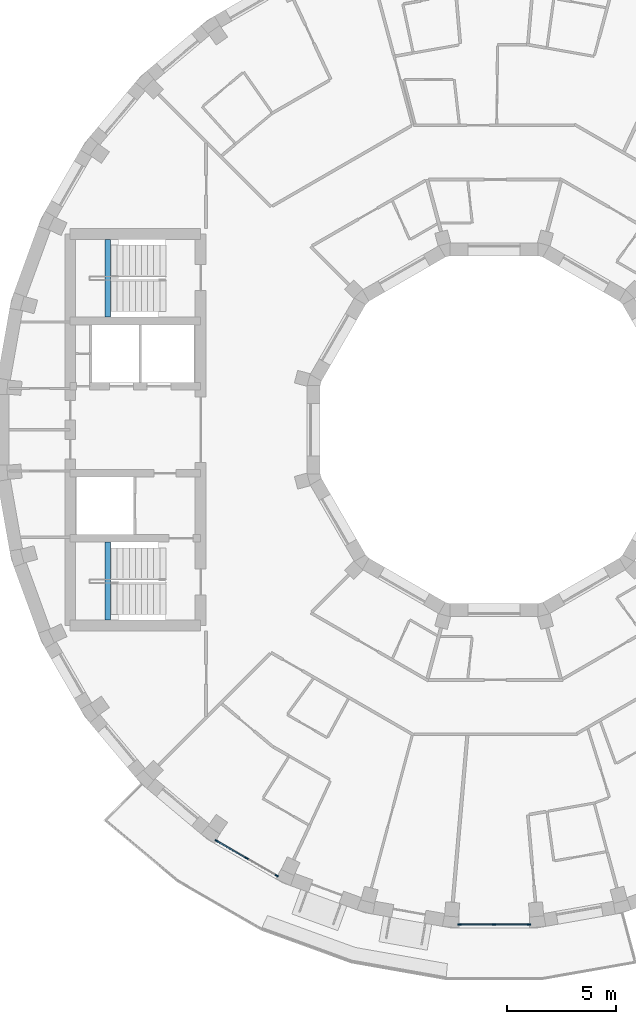
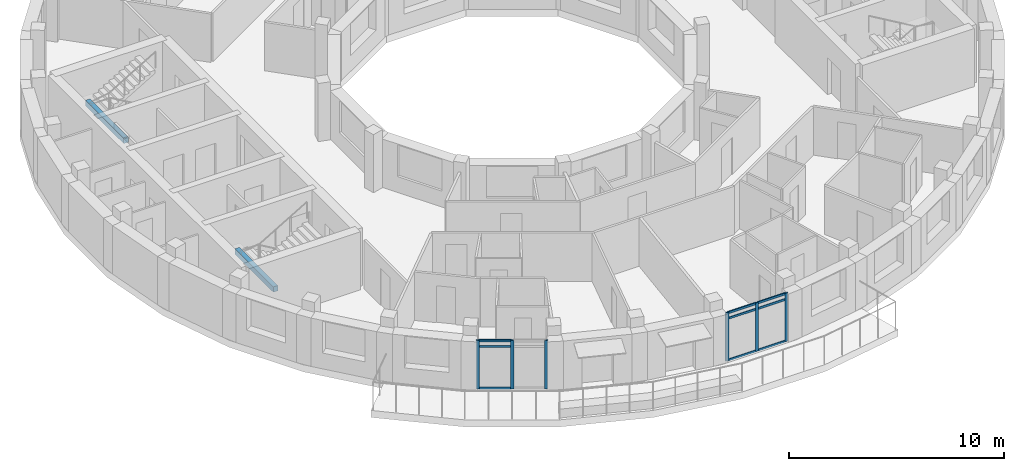
# One storey, part 2 of 12: 15 members, 2 beams, 2 elements without a shape of their own.
"""IFC4 building model written with IfcOpenShell, lengths in metres."""

from ifc_helpers import new_model, si_unit, direction, frame, origin, origin_2d, place, context, subcontext, project, spatial, rectangle, extrude, material, layer, layer_set, material_profile, profile_set, type_object, element, aggregate, save


model = new_model("IFC4")

# Units and contexts
model_context = context("Model", 3, precision=1e-05, world=origin(), true_north=direction((0.0, 1.0)))
body_context = subcontext(model_context, "Body", "Model", "MODEL_VIEW")
ifc_project = project(units=[si_unit("LENGTHUNIT", "METRE"), si_unit("AREAUNIT", "SQUARE_METRE"), si_unit("VOLUMEUNIT", "CUBIC_METRE"), si_unit("PLANEANGLEUNIT", "RADIAN"), si_unit("MASSUNIT", "GRAM", prefix="KILO")], contexts=[model_context])

# Site, building, storey
site_placement = place(None, origin())
site = spatial("IfcSite", under=ifc_project, at=site_placement, CompositionType="ELEMENT")
building_placement = place(site_placement, origin())
building = spatial("IfcBuilding", under=site, at=building_placement, Name="Saqina Gate Tower", CompositionType="ELEMENT")
storey_placement = place(building_placement, frame((0.0, 0.0, 275.89990234375)))
storey = spatial("IfcBuildingStorey", under=building, at=storey_placement, Name="L79", CompositionType="ELEMENT", Elevation=275.89990234375)

# Curtain wall, members
ifc_material_1 = material(Name="Aluminium glazing", Category="aluminium")
ifc_layer = layer(ifc_material_1, 0.159912109375)
ifc_layer_set = layer_set([ifc_layer], Name="CWT-4")
curtain_wall_type = type_object("IfcCurtainWallType", Name="CWT-4", PredefinedType="NOTDEFINED", material=ifc_layer_set)
curtain_wall_1_placement = place(storey_placement, origin())
curtain_wall_1 = element("IfcCurtainWall", 1, at=curtain_wall_1_placement, inside=storey, type_object=curtain_wall_type, Name="Terrace lounge glazing facet 24", PredefinedType="NOTDEFINED")
ifc_material_2 = material(Name="Aluminium", Category="aluminium")
ifc_material_profile_1 = material_profile(ifc_material_2, rectangle(XDim=0.06005859375, YDim=0.159912109375, at=origin_2d()), Name="Aluminium 60x160")
ifc_profile_set_1 = profile_set([ifc_material_profile_1], Name="Aluminium")
member_type_1 = type_object("IfcMemberType", Name="CWT-4M", PredefinedType="MULLION", material=ifc_profile_set_1)
member_1_placement = place(storey_placement, frame((-12.763427734375, -18.9150390625, 0.0), z_axis=(0.0, 0.0, 1.0), x_axis=(0.499982449212, 0.8660355365, 0.0)))
member_1 = element("IfcMember", 2, at=member_1_placement, type_object=member_type_1, Name="CW4-24 mullion 1", PredefinedType="MULLION", context=body_context, shape_type="SweptSolid", body=[
    extrude(rectangle(XDim=0.06005859375, YDim=0.159912109375, at=origin_2d()), origin(), (0.0, 0.0, 1.0), 2.75),
])
member_2_placement = place(storey_placement, frame((-11.38134765625, -19.712890625, 0.0), z_axis=(0.0, 0.0, 1.0), x_axis=(0.499982449212, 0.8660355365, 0.0)))
member_2 = element("IfcMember", 3, at=member_2_placement, type_object=member_type_1, Name="CW4-24 mullion 2", PredefinedType="MULLION", context=body_context, shape_type="SweptSolid", body=[
    extrude(rectangle(XDim=0.06005859375, YDim=0.159912109375, at=origin_2d()), origin(), (0.0, 0.0, 1.0), 2.75),
])
member_3_placement = place(storey_placement, frame((-9.999267578125, -20.5107421875, 0.0), z_axis=(0.0, 0.0, 1.0), x_axis=(0.499982449212, 0.8660355365, 0.0)))
member_3 = element("IfcMember", 4, at=member_3_placement, type_object=member_type_1, Name="CW4-24 mullion 3", PredefinedType="MULLION", context=body_context, shape_type="SweptSolid", body=[
    extrude(rectangle(XDim=0.06005859375, YDim=0.159912109375, at=origin_2d()), origin(), (0.0, 0.0, 1.0), 2.75),
])

curtain_wall_2_placement = place(storey_placement, origin())
curtain_wall_2 = element("IfcCurtainWall", 5, at=curtain_wall_2_placement, inside=storey, type_object=curtain_wall_type, Name="Terrace lounge glazing facet 27", PredefinedType="NOTDEFINED")
member_4_placement = place(storey_placement, frame((-1.595703125, -22.762451171875, 0.0), z_axis=(0.0, 0.0, 1.0), x_axis=(0.0, 1.0, 0.0)))
member_4 = element("IfcMember", 6, at=member_4_placement, type_object=member_type_1, Name="CW4-27 mullion 1", PredefinedType="MULLION", context=body_context, shape_type="SweptSolid", body=[
    extrude(rectangle(XDim=0.06005859375, YDim=0.159912109375, at=origin_2d()), origin(), (0.0, 0.0, 1.0), 2.75),
])
member_5_placement = place(storey_placement, frame((0.0, -22.762451171875, 0.0), z_axis=(0.0, 0.0, 1.0), x_axis=(0.0, 1.0, 0.0)))
member_5 = element("IfcMember", 7, at=member_5_placement, type_object=member_type_1, Name="CW4-27 mullion 2", PredefinedType="MULLION", context=body_context, shape_type="SweptSolid", body=[
    extrude(rectangle(XDim=0.06005859375, YDim=0.159912109375, at=origin_2d()), origin(), (0.0, 0.0, 1.0), 2.75),
])
member_6_placement = place(storey_placement, frame((1.595703125, -22.762451171875, 0.0), z_axis=(0.0, 0.0, 1.0), x_axis=(0.0, 1.0, 0.0)))
member_6 = element("IfcMember", 8, at=member_6_placement, type_object=member_type_1, Name="CW4-27 mullion 3", PredefinedType="MULLION", context=body_context, shape_type="SweptSolid", body=[
    extrude(rectangle(XDim=0.06005859375, YDim=0.159912109375, at=origin_2d()), origin(), (0.0, 0.0, 1.0), 2.75),
])

# Member
ifc_material_3 = material(Name="Aluminium", Category="aluminium")
ifc_material_profile_2 = material_profile(ifc_material_3, rectangle(XDim=0.06005859375, YDim=0.1201171875, at=origin_2d()), Name="Aluminium 60x120")
ifc_profile_set_2 = profile_set([ifc_material_profile_2], Name="Aluminium")
member_type_2 = type_object("IfcMemberType", Name="CWT-4T", PredefinedType="USERDEFINED", material=ifc_profile_set_2)
member_7_placement = place(storey_placement, frame((-12.7373046875, -18.929931640625, 0.030029296875), z_axis=(0.865984396932, -0.500071019227, 0.0), x_axis=(0.500071019227, 0.865984396932, 0.0)))
member_7 = element("IfcMember", 9, at=member_7_placement, type_object=member_type_2, Name="CW4-24 transom 1.1", ObjectType="TRANSOM", PredefinedType="USERDEFINED", context=body_context, shape_type="SweptSolid", body=[
    extrude(rectangle(XDim=0.06005859375, YDim=0.1201171875, at=origin_2d()), origin(), (0.0, 0.0, 1.0), 1.535888671875),
])

member_8_placement = place(storey_placement, frame((-12.7373046875, -18.929931640625, 2.400146484375), z_axis=(0.865984396932, -0.500071019227, 0.0), x_axis=(0.500071019227, 0.865984396932, 0.0)))
member_8 = element("IfcMember", 10, at=member_8_placement, type_object=member_type_2, Name="CW4-24 transom 1.2", ObjectType="TRANSOM", PredefinedType="USERDEFINED", context=body_context, shape_type="SweptSolid", body=[
    extrude(rectangle(XDim=0.06005859375, YDim=0.1201171875, at=origin_2d()), origin(), (0.0, 0.0, 1.0), 1.535888671875),
])

member_9_placement = place(storey_placement, frame((-12.7373046875, -18.929931640625, 2.72021484375), z_axis=(0.865984396932, -0.500071019227, 0.0), x_axis=(0.500071019227, 0.865984396932, 0.0)))
member_9 = element("IfcMember", 11, at=member_9_placement, type_object=member_type_2, Name="CW4-24 transom 1.3", ObjectType="TRANSOM", PredefinedType="USERDEFINED", context=body_context, shape_type="SweptSolid", body=[
    extrude(rectangle(XDim=0.06005859375, YDim=0.1201171875, at=origin_2d()), origin(), (0.0, 0.0, 1.0), 1.535888671875),
])

aggregate(curtain_wall_1, [member_1, member_2, member_3, member_7, member_8, member_9])

member_10_placement = place(storey_placement, frame((-1.56591796875, -22.762451171875, 0.030029296875), z_axis=(1.0, 0.0, 0.0), x_axis=(0.0, 1.0, 0.0)))
member_10 = element("IfcMember", 12, at=member_10_placement, type_object=member_type_2, Name="CW4-27 transom 1.1", ObjectType="TRANSOM", PredefinedType="USERDEFINED", context=body_context, shape_type="SweptSolid", body=[
    extrude(rectangle(XDim=0.06005859375, YDim=0.1201171875, at=origin_2d()), origin(), (0.0, 0.0, 1.0), 1.535888671875),
])

member_11_placement = place(storey_placement, frame((-1.56591796875, -22.762451171875, 2.400146484375), z_axis=(1.0, 0.0, 0.0), x_axis=(0.0, 1.0, 0.0)))
member_11 = element("IfcMember", 13, at=member_11_placement, type_object=member_type_2, Name="CW4-27 transom 1.2", ObjectType="TRANSOM", PredefinedType="USERDEFINED", context=body_context, shape_type="SweptSolid", body=[
    extrude(rectangle(XDim=0.06005859375, YDim=0.1201171875, at=origin_2d()), origin(), (0.0, 0.0, 1.0), 1.535888671875),
])

member_12_placement = place(storey_placement, frame((-1.56591796875, -22.762451171875, 2.72021484375), z_axis=(1.0, 0.0, 0.0), x_axis=(0.0, 1.0, 0.0)))
member_12 = element("IfcMember", 14, at=member_12_placement, type_object=member_type_2, Name="CW4-27 transom 1.3", ObjectType="TRANSOM", PredefinedType="USERDEFINED", context=body_context, shape_type="SweptSolid", body=[
    extrude(rectangle(XDim=0.06005859375, YDim=0.1201171875, at=origin_2d()), origin(), (0.0, 0.0, 1.0), 1.535888671875),
])

member_13_placement = place(storey_placement, frame((0.030029296875, -22.762451171875, 0.030029296875), z_axis=(1.0, 0.0, 0.0), x_axis=(0.0, 1.0, 0.0)))
member_13 = element("IfcMember", 15, at=member_13_placement, type_object=member_type_2, Name="CW4-27 transom 2.1", ObjectType="TRANSOM", PredefinedType="USERDEFINED", context=body_context, shape_type="SweptSolid", body=[
    extrude(rectangle(XDim=0.06005859375, YDim=0.1201171875, at=origin_2d()), origin(), (0.0, 0.0, 1.0), 1.535888671875),
])

member_14_placement = place(storey_placement, frame((0.030029296875, -22.762451171875, 2.400146484375), z_axis=(1.0, 0.0, 0.0), x_axis=(0.0, 1.0, 0.0)))
member_14 = element("IfcMember", 16, at=member_14_placement, type_object=member_type_2, Name="CW4-27 transom 2.2", ObjectType="TRANSOM", PredefinedType="USERDEFINED", context=body_context, shape_type="SweptSolid", body=[
    extrude(rectangle(XDim=0.06005859375, YDim=0.1201171875, at=origin_2d()), origin(), (0.0, 0.0, 1.0), 1.535888671875),
])

member_15_placement = place(storey_placement, frame((0.030029296875, -22.762451171875, 2.72021484375), z_axis=(1.0, 0.0, 0.0), x_axis=(0.0, 1.0, 0.0)))
member_15 = element("IfcMember", 17, at=member_15_placement, type_object=member_type_2, Name="CW4-27 transom 2.3", ObjectType="TRANSOM", PredefinedType="USERDEFINED", context=body_context, shape_type="SweptSolid", body=[
    extrude(rectangle(XDim=0.06005859375, YDim=0.1201171875, at=origin_2d()), origin(), (0.0, 0.0, 1.0), 1.535888671875),
])

aggregate(curtain_wall_2, [member_4, member_5, member_6, member_10, member_11, member_12, member_13, member_14, member_15])

# Beams
ifc_material_4 = material(Name="Concrete C40/50", Category="concrete")
ifc_material_profile_3 = material_profile(ifc_material_4, rectangle(XDim=0.25, YDim=0.300048828125, at=origin_2d()), Name="STAIR LANDING BEAM")
ifc_profile_set_3 = profile_set([ifc_material_profile_3], Name="Concrete C40/50")
beam_type = type_object("IfcBeamType", Name="STAIR LANDING BEAM", PredefinedType="BEAM", material=ifc_profile_set_3)
for number, where, z_axis, x_axis, name in (
    (18, (-17.77001953125, 5.175048828125, 1.25), (0.0, 1.0, 0.0), (-1.0, 0.0, 0.0), "EXIT STAIR 3 LANDING BEAM"),
    (19, (-17.77001953125, -8.75, 1.25), (0.0, 1.0, 0.0), (-1.0, 0.0, 0.0), "EXIT STAIR 4 LANDING BEAM"),
):
    element("IfcBeam", number, at=place(storey_placement, frame(where, z_axis=z_axis, x_axis=x_axis)), inside=storey, type_object=beam_type, Name=name, PredefinedType="BEAM", context=body_context, shape_type="SweptSolid", body=[
        extrude(rectangle(XDim=0.25, YDim=0.300048828125, at=origin_2d()), origin(), (0.0, 0.0, 1.0), 3.574951171875),
    ])

save(model, "model.ifc")
